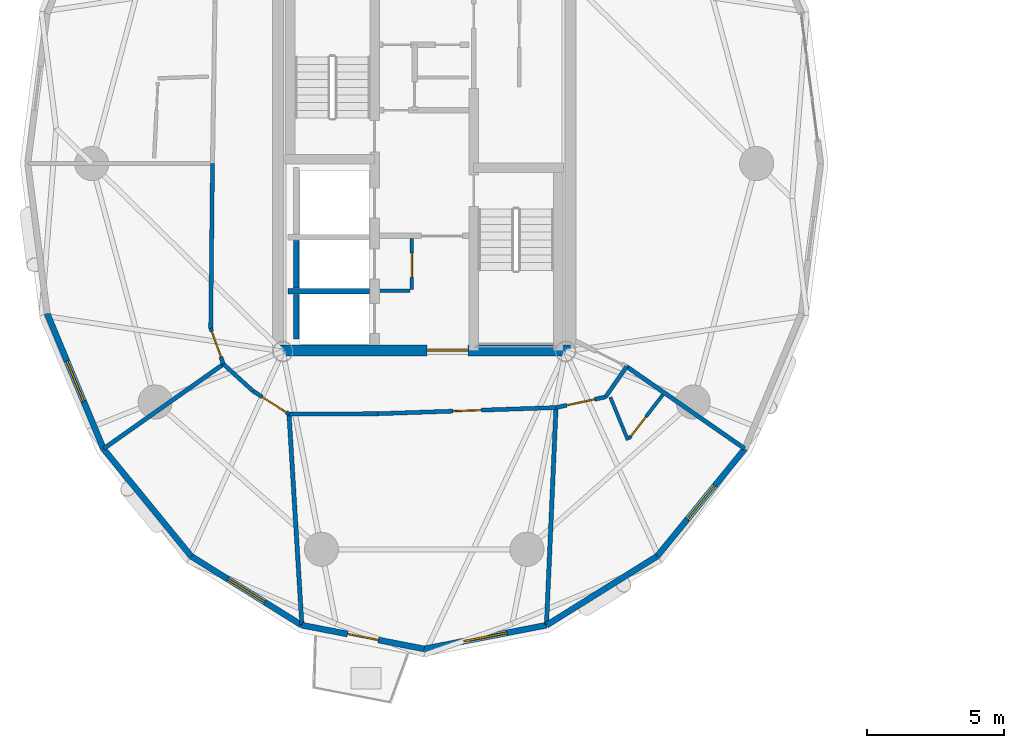
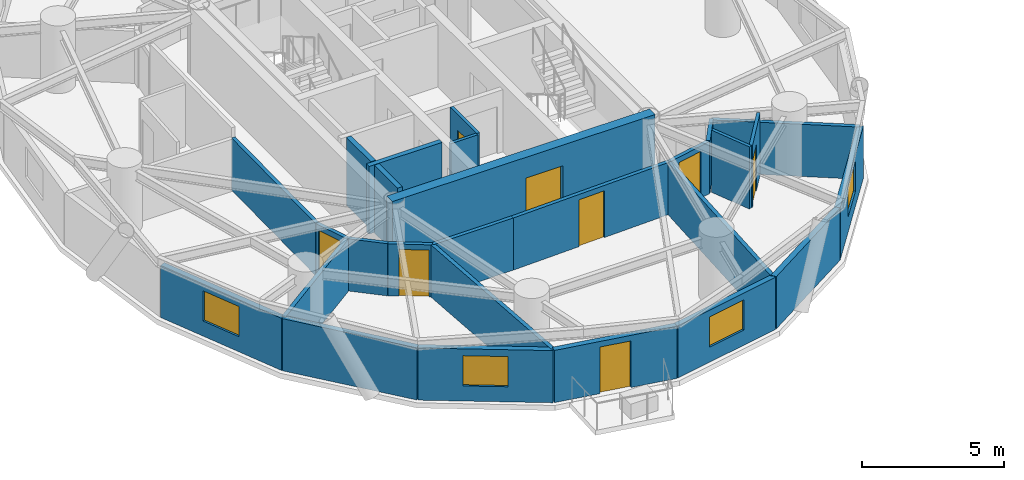
# One storey, part 8 of 17: 27 walls, 8 doors, 4 windows, 12 openings.
"""IFC4 building model written with IfcOpenShell, lengths in metres."""

import ifcopenshell
import ifcopenshell.guid

model = None  # the IFC model being written
_history = None  # IfcOwnerHistory: only IFC2X3 demands one
_inside = {}  # id of a spatial element -> (the spatial element, [elements in it])
_under = {}  # id of a project, library or spatial element -> (it, [spatial elements below it])
_declared = {}  # id of a project -> (the project, [libraries it declares])
_typed = {}  # id of a type object -> (the type object, [elements of that type])
_made_of = {}  # id of a material, layer set ... -> (it, [elements and type objects made of it])


def new_model(schema):
    """Start an empty IFC model of exactly this schema.

    Asked for "IFC4X3", IfcOpenShell would pick the latest addendum, in which some entities
    have other attributes; the version numbers below select the first issue.
    IFC2X3 requires an IfcOwnerHistory on every rooted entity: one is made here for all.
    """
    global model, _history
    if schema == "IFC4X3":
        model = ifcopenshell.file(schema_version=(4, 3, 0, 0))
    else:
        model = ifcopenshell.file(schema=schema)
    _inside.clear()
    _under.clear()
    _declared.clear()
    _typed.clear()
    _made_of.clear()
    _history = None
    if model.schema == "IFC2X3":
        org = make("IfcOrganization", Name="unknown")
        user = make(
            "IfcPersonAndOrganization",
            ThePerson=make("IfcPerson", FamilyName="unknown"),
            TheOrganization=org,
        )
        app = make(
            "IfcApplication",
            ApplicationDeveloper=org,
            Version="unknown",
            ApplicationFullName="unknown",
            ApplicationIdentifier="unknown",
        )
        _history = make(
            "IfcOwnerHistory",
            OwningUser=user,
            OwningApplication=app,
            ChangeAction="ADDED",
            CreationDate=0,
        )
    return model


def make(cls, **values):
    """One entity of the class cls with the attributes given. An attribute that is None is left unset."""
    return model.create_entity(
        cls, **{name: value for name, value in values.items() if value is not None}
    )


def rooted(cls, **values):
    """An entity with a GlobalId (a new one), such as an element, a storey or a relation."""
    return make(cls, GlobalId=ifcopenshell.guid.new(), OwnerHistory=_history, **values)


def si_unit(unit_type, name, prefix=None):
    """IfcSIUnit, for example si_unit("LENGTHUNIT", "METRE", prefix="MILLI")."""
    return make("IfcSIUnit", UnitType=unit_type, Prefix=prefix, Name=name)


def assignment(units):
    """IfcUnitAssignment: the units of a project."""
    return None if units is None else make("IfcUnitAssignment", Units=units)


def point(xyz):
    """IfcCartesianPoint."""
    return None if xyz is None else make("IfcCartesianPoint", Coordinates=xyz)


def direction(xyz):
    """IfcDirection."""
    return None if xyz is None else make("IfcDirection", DirectionRatios=xyz)


def frame(location, z_axis=None, x_axis=None):
    """IfcAxis2Placement3D, a coordinate frame: its origin and axes. An axis left out is left unset."""
    return make(
        "IfcAxis2Placement3D",
        Location=point(location),
        Axis=direction(z_axis),
        RefDirection=direction(x_axis),
    )


def frame_2d(location, x_axis=None):
    """IfcAxis2Placement2D, a coordinate frame in the plane: its origin and x axis."""
    return make(
        "IfcAxis2Placement2D", Location=point(location), RefDirection=direction(x_axis)
    )


def origin():
    """The frame at (0, 0, 0) with its axes left unset."""
    return frame((0.0, 0.0, 0.0))


def place(relative_to, where):
    """IfcLocalPlacement: puts the frame where relative to a parent placement (None: the world)."""
    return make(
        "IfcLocalPlacement", PlacementRelTo=relative_to, RelativePlacement=where
    )


def context(
    kind, dimensions, precision=None, world=None, true_north=None, identifier=None
):
    """IfcGeometricRepresentationContext, for example the 3D "Model" context."""
    return make(
        "IfcGeometricRepresentationContext",
        ContextIdentifier=identifier,
        ContextType=kind,
        CoordinateSpaceDimension=dimensions,
        Precision=precision,
        WorldCoordinateSystem=world,
        TrueNorth=true_north,
    )


def subcontext(parent, identifier, kind, view, scale=None):
    """IfcGeometricRepresentationSubContext, for example "Body" below "Model"."""
    return make(
        "IfcGeometricRepresentationSubContext",
        ContextIdentifier=identifier,
        ContextType=kind,
        ParentContext=parent,
        TargetScale=scale,
        TargetView=view,
    )


def project(units=None, contexts=None):
    """IfcProject with its units and contexts."""
    return rooted(
        "IfcProject",
        Name="project",
        RepresentationContexts=contexts,
        UnitsInContext=assignment(units),
    )


def spatial(cls, under=None, at=None, **own):
    """A site, building, storey or space (cls), placed at a placement, below another one or the project."""
    s = rooted(cls, ObjectPlacement=at, **own)
    if under is not None:
        _under.setdefault(under.id(), (under, []))[1].append(s)
    return s


def profile(cls, at=None, kind="AREA", **sizes):
    """A parametric profile (cls). Its sizes go by their IFC names, for example OverallWidth=200.0."""
    return make(cls, ProfileType=kind, Position=at, **sizes)


def rectangle(**sizes):
    """IfcRectangleProfileDef."""
    return profile("IfcRectangleProfileDef", **sizes)


def extrude(swept, where, along, depth):
    """IfcExtrudedAreaSolid: the profile swept, set in the frame where, extruded along a direction by depth."""
    return make(
        "IfcExtrudedAreaSolid",
        SweptArea=swept,
        Position=where,
        ExtrudedDirection=direction(along),
        Depth=depth,
    )


def shape(context_of_items, identifier, shape_type, items):
    """IfcShapeRepresentation: the items that make up one representation, for example the "Body"."""
    return make(
        "IfcShapeRepresentation",
        ContextOfItems=context_of_items,
        RepresentationIdentifier=identifier,
        RepresentationType=shape_type,
        Items=items,
    )


def source(mapping_origin, context_of_items, identifier, shape_type, items):
    """IfcRepresentationMap: a shape defined once, which mapped items show again and again."""
    return make(
        "IfcRepresentationMap",
        MappingOrigin=mapping_origin,
        MappedRepresentation=shape(context_of_items, identifier, shape_type, items),
    )


def transform(
    local_origin,
    x_axis=None,
    y_axis=None,
    z_axis=None,
    scale=None,
    scale2=None,
    scale3=None,
    uniform=True,
):
    """IfcCartesianTransformationOperator3D, or its non-uniform kind. x_axis, y_axis, z_axis: its Axis1, 2, 3."""
    if uniform:
        return make(
            "IfcCartesianTransformationOperator3D",
            Axis1=direction(x_axis),
            Axis2=direction(y_axis),
            LocalOrigin=point(local_origin),
            Scale=scale,
            Axis3=direction(z_axis),
        )
    return make(
        "IfcCartesianTransformationOperator3DnonUniform",
        Axis1=direction(x_axis),
        Axis2=direction(y_axis),
        LocalOrigin=point(local_origin),
        Scale=scale,
        Axis3=direction(z_axis),
        Scale2=scale2,
        Scale3=scale3,
    )


def mapped(mapping_source, mapping_target):
    """IfcMappedItem: shows the shape of a source again, moved by a transform."""
    return make(
        "IfcMappedItem", MappingSource=mapping_source, MappingTarget=mapping_target
    )


def material(Name=None, Category=None):
    """IfcMaterial."""
    return make("IfcMaterial", Name=Name, Category=Category)


def layer(
    of_material, thickness, ventilated=None, Name=None, Category=None, Priority=None
):
    """IfcMaterialLayer: one layer of a wall or slab, of a material (None: an air gap)."""
    return make(
        "IfcMaterialLayer",
        Material=of_material,
        LayerThickness=thickness,
        IsVentilated=ventilated,
        Name=Name,
        Category=Category,
        Priority=Priority,
    )


def layer_set(layers, Name=None):
    """IfcMaterialLayerSet."""
    return make("IfcMaterialLayerSet", MaterialLayers=layers, LayerSetName=Name)


def made_of(thing, what):
    """Note that an element or type object is made of a material, layer set ...; save() writes the relation."""
    if what is not None:
        _made_of.setdefault(what.id(), (what, []))[1].append(thing)
    return thing


def type_object(cls, material=None, **own):
    """A type object (cls), such as IfcWallType, which elements share."""
    return made_of(rooted(cls, **own), material)


def element(
    cls,
    number,
    at=None,
    inside=None,
    cuts=None,
    type_object=None,
    material=None,
    context=None,
    identifier="Body",
    shape_type=None,
    held_by="IfcProductDefinitionShape",
    body=None,
    shapes=None,
    **own,
):
    """One element of the class cls, such as IfcWall. Its Tag is "e" and its number.

    at: its placement. inside: the storey or other place that contains it. cuts: it is an
    opening in that element (IfcRelVoidsElement). A single representation is given by context,
    identifier, shape_type and body (its items); several are given by shapes. held_by: the class
    of the entity that holds the representations. save() writes the other relations.
    """
    e = rooted(cls, Tag="e%d" % number, ObjectPlacement=at, **own)
    if body is not None:
        shapes = [shape(context, identifier, shape_type, body)]
    if shapes is not None:
        e.Representation = make(held_by, Representations=shapes)
    if inside is not None:
        _inside.setdefault(inside.id(), (inside, []))[1].append(e)
    if cuts is not None:
        rooted(
            "IfcRelVoidsElement", RelatingBuildingElement=cuts, RelatedOpeningElement=e
        )
    if type_object is not None:
        _typed.setdefault(type_object.id(), (type_object, []))[1].append(e)
    return made_of(e, material)


def fill(opening, filler):
    """IfcRelFillsElement: the door or window that sits in an opening."""
    return rooted(
        "IfcRelFillsElement",
        RelatingOpeningElement=opening,
        RelatedBuildingElement=filler,
    )


def aggregate(whole, parts):
    """IfcRelAggregates: a whole, such as a stair, and the parts it consists of."""
    return rooted("IfcRelAggregates", RelatingObject=whole, RelatedObjects=parts)


def save(model, path):
    """Write the relations noted so far, then the file.

    IfcRelAggregates (storeys below a building ...), IfcRelContainedInSpatialStructure (elements
    in a storey), IfcRelDefinesByType, IfcRelAssociatesMaterial and IfcRelDeclares: one each for
    every whole, place, type object, material and project.
    """
    for whole, parts in _under.values():
        aggregate(whole, parts)
    for where, things in _inside.values():
        rooted(
            "IfcRelContainedInSpatialStructure",
            RelatedElements=things,
            RelatingStructure=where,
        )
    for kind, things in _typed.values():
        rooted("IfcRelDefinesByType", RelatedObjects=things, RelatingType=kind)
    for what, things in _made_of.values():
        rooted("IfcRelAssociatesMaterial", RelatedObjects=things, RelatingMaterial=what)
    for by, libraries in _declared.values():
        rooted("IfcRelDeclares", RelatingContext=by, RelatedDefinitions=libraries)
    model.write(path)


model = new_model("IFC4")

# Units and contexts
model_context = context("Model", 3, precision=1e-05, world=origin(), true_north=direction((0.0, 1.0)))
body_context = subcontext(model_context, "Body", "Model", "MODEL_VIEW")
ifc_project = project(units=[si_unit("LENGTHUNIT", "METRE"), si_unit("AREAUNIT", "SQUARE_METRE"), si_unit("VOLUMEUNIT", "CUBIC_METRE"), si_unit("PLANEANGLEUNIT", "RADIAN"), si_unit("MASSUNIT", "GRAM", prefix="KILO")], contexts=[model_context])

# Site, building, storey
site_placement = place(None, origin())
site = spatial("IfcSite", under=ifc_project, at=site_placement, CompositionType="ELEMENT")
building_placement = place(site_placement, origin())
building = spatial("IfcBuilding", under=site, at=building_placement, Name="Cununo Teusaquillo Station Towers", CompositionType="ELEMENT")
storey_placement = place(building_placement, frame((0.0, 0.0, 154.510009765625)))
storey = spatial("IfcBuildingStorey", under=building, at=storey_placement, Name="L48", CompositionType="ELEMENT", Elevation=154.510009765625)

# Walls
ifc_material_1 = material(Name="Concrete C50/60", Category="concrete")
ifc_layer_1 = layer(ifc_material_1, 0.199951171875)
ifc_layer_set_1 = layer_set([ifc_layer_1], Name="Concrete C50/60")
wall_type_1 = type_object("IfcWallType", Name="WL-CORE-200", PredefinedType="SHEAR", material=ifc_layer_set_1)
wall_1_placement = place(storey_placement, frame((11.52001953125, 19.824951171875, 0.0), z_axis=(0.0, 0.0, 1.0), x_axis=(1.0, 0.0, 0.0)))
element("IfcWall", 1, at=wall_1_placement, inside=storey, type_object=wall_type_1, Name="L48 Tower A High-Rise Lift Hoistway Divider Shear Wall", PredefinedType="SHEAR", context=body_context, shape_type="SweptSolid", body=[
    extrude(rectangle(XDim=2.969970703125, YDim=0.199951171875, at=frame_2d((1.48486328125, 0.0))), origin(), (0.0, 0.0, 1.0), 2.909912109375),
])
wall_2_placement = place(storey_placement, frame((11.820068359375, 19.945068359375, 0.0), z_axis=(0.0, 0.0, 1.0), x_axis=(0.0, 1.0, 0.0)))
element("IfcWall", 2, at=wall_2_placement, inside=storey, type_object=wall_type_1, Name="L48 Tower A High-Rise Lift 2 Shaft Rear Shear Wall", PredefinedType="SHEAR", context=body_context, shape_type="SweptSolid", body=[
    extrude(rectangle(XDim=1.73486328125, YDim=0.199951171875, at=frame_2d((0.867431640625, 0.0))), origin(), (0.0, 0.0, 1.0), 2.909912109375),
])
wall_3_placement = place(storey_placement, frame((11.820068359375, 18.070068359375, 0.0), z_axis=(0.0, 0.0, 1.0), x_axis=(0.0, 1.0, 0.0)))
element("IfcWall", 3, at=wall_3_placement, inside=storey, type_object=wall_type_1, Name="L48 Tower A High-Rise Lift 1 Shaft Rear Shear Wall", PredefinedType="SHEAR", context=body_context, shape_type="SweptSolid", body=[
    extrude(rectangle(XDim=1.635009765625, YDim=0.199951171875, at=frame_2d((0.8173828125, 0.0))), origin(), (0.0, 0.0, 1.0), 2.909912109375),
])

# Wall, opening, door
ifc_material_2 = material(Name="Concrete C50/60", Category="concrete")
ifc_layer_2 = layer(ifc_material_2, 0.39990234375)
ifc_layer_set_2 = layer_set([ifc_layer_2], Name="Concrete C50/60")
wall_type_2 = type_object("IfcWallType", Name="WL-CORE-400", PredefinedType="SHEAR", material=ifc_layer_set_2)
wall_4_placement = place(storey_placement, frame((11.14990234375, 17.64990234375, 0.0), z_axis=(0.0, 0.0, 1.0), x_axis=(1.0, 0.0, 0.0)))
wall_4 = element("IfcWall", 4, at=wall_4_placement, inside=storey, type_object=wall_type_2, Name="L48 Tower A Core Shear Wall S", PredefinedType="SHEAR", context=body_context, shape_type="SweptSolid", body=[
    extrude(rectangle(XDim=10.7001953125, YDim=0.39990234375, at=frame_2d((5.35009765625, 0.0))), origin(), (0.0, 0.0, 1.0), 2.909912109375),
])
shared_shape_1 = source(origin(), body_context, "Body", "SweptSolid", [
    extrude(rectangle(XDim=1.5, YDim=2.02001953125, at=frame_2d((0.75, 1.010009765625))), frame((0.0, 0.2099609375, 0.0), z_axis=(0.0, -1.0, 0.0), x_axis=(1.0, 0.0, 0.0)), (0.0, 0.0, 1.0), 0.419921875),
])
opening_1_placement = place(wall_4_placement, frame((5.449951171875, 0.0, 0.0)))
opening_1 = element("IfcOpeningElement", 5, at=opening_1_placement, cuts=wall_4, Name="Opening D-LB1", PredefinedType="OPENING", context=body_context, shape_type="MappedRepresentation", body=[
    mapped(shared_shape_1, transform((0.0, 0.0, 0.0), x_axis=(1.0, 0.0, 0.0), y_axis=(0.0, 1.0, 0.0), z_axis=(0.0, 0.0, 1.0), scale=1.0)),
])
ifc_material_3 = material(Name="Galvanised fire-rated hollow steel door assembly", Category="steel")
door_type_1 = type_object("IfcDoorType", Name="DR-LOBBY-1500", OperationType="DOUBLE_DOOR_SINGLE_SWING", PredefinedType="DOOR", material=ifc_material_3)
shared_shape_2 = source(origin(), body_context, "Body", "SweptSolid", [
    extrude(rectangle(XDim=1.5, YDim=2.02001953125, at=frame_2d((0.75, 1.010009765625))), frame((0.0, 0.02490234375, 0.0), z_axis=(0.0, -1.0, 0.0), x_axis=(1.0, 0.0, 0.0)), (0.0, 0.0, 1.0), 0.050048828125),
])
door_1_placement = place(opening_1_placement, origin())
door_1 = element("IfcDoor", 6, at=door_1_placement, inside=storey, type_object=door_type_1, Name="L48 Tower A South Core Lift Lobby Door", OperationType="DOUBLE_DOOR_SINGLE_SWING", OverallHeight=2.02001953125, OverallWidth=1.5, PredefinedType="DOOR", context=body_context, shape_type="MappedRepresentation", body=[
    mapped(shared_shape_2, transform((0.0, 0.0, 0.0), x_axis=(1.0, 0.0, 0.0), y_axis=(0.0, 1.0, 0.0), z_axis=(0.0, 0.0, 1.0), scale=1.0)),
])
fill(opening_1, door_1)

# Wall, opening, window
ifc_material_4 = material(Name="Precast concrete C40/50", Category="concrete")
ifc_layer_3 = layer(ifc_material_4, 0.219970703125)
ifc_layer_set_3 = layer_set([ifc_layer_3], Name="Precast concrete C40/50")
wall_type_3 = type_object("IfcWallType", Name="WL-EXT-220", PredefinedType="SOLIDWALL", material=ifc_layer_set_3)
wall_5_placement = place(storey_placement, frame((4.757080078125, 14.05517578125, 0.0), z_axis=(0.0, 0.0, 1.0), x_axis=(-0.384259959969, 0.923224936386, 0.0)))
wall_5 = element("IfcWall", 7, at=wall_5_placement, inside=storey, type_object=wall_type_3, Name="L48 Tower A Exterior Facade Wall C11", PredefinedType="SOLIDWALL", context=body_context, shape_type="SweptSolid", body=[
    extrude(rectangle(XDim=5.365478515625, YDim=0.219970703125, at=frame_2d((2.6826171875, 0.0))), origin(), (0.0, 0.0, 1.0), 2.244873046875),
])
shared_shape_3 = source(origin(), body_context, "Body", "SweptSolid", [
    extrude(rectangle(XDim=1.60009765625, YDim=1.300048828125, at=frame_2d((0.800048828125, 0.64990234375))), frame((0.0, 0.119873046875, 0.0), z_axis=(0.0, -1.0, 0.0), x_axis=(1.0, 0.0, 0.0)), (0.0, 0.0, 1.0), 0.239990234375),
])
opening_2_placement = place(wall_5_placement, frame((1.883056640625, 0.0, 0.64990234375)))
opening_2 = element("IfcOpeningElement", 8, at=opening_2_placement, cuts=wall_5, Name="Opening WN-03", PredefinedType="OPENING", context=body_context, shape_type="MappedRepresentation", body=[
    mapped(shared_shape_3, transform((0.0, 0.0, 0.0), x_axis=(1.0, 0.0, 0.0), y_axis=(0.0, 1.0, 0.0), z_axis=(0.0, 0.0, 1.0), scale=1.0)),
])
ifc_material_5 = material(Name="Ceramic-fritted dark low-E double glazing", Category="glass")
window_type = type_object("IfcWindowType", Name="WIN-CORN-1600", PartitioningType="SINGLE_PANEL", PredefinedType="WINDOW", material=ifc_material_5)
shared_shape_4 = source(origin(), body_context, "Body", "SweptSolid", [
    extrude(rectangle(XDim=1.60009765625, YDim=1.300048828125, at=frame_2d((0.800048828125, 0.64990234375))), frame((0.0, 0.030029296875, 0.0), z_axis=(0.0, -1.0, 0.0), x_axis=(1.0, 0.0, 0.0)), (0.0, 0.0, 1.0), 0.06005859375),
])
window_1_placement = place(opening_2_placement, origin())
window_1 = element("IfcWindow", 9, at=window_1_placement, inside=storey, type_object=window_type, Name="L48 Tower A Facade Window C11", OverallHeight=1.300048828125, OverallWidth=1.60009765625, PartitioningType="SINGLE_PANEL", PredefinedType="WINDOW", context=body_context, shape_type="MappedRepresentation", body=[
    mapped(shared_shape_4, transform((0.0, 0.0, 0.0), x_axis=(1.0, 0.0, 0.0), y_axis=(0.0, 1.0, 0.0), z_axis=(0.0, 0.0, 1.0), scale=1.0)),
])
fill(opening_2, window_1)

# Wall
wall_6_placement = place(storey_placement, frame((7.96826171875, 10.123779296875, 0.0), z_axis=(0.0, 0.0, 1.0), x_axis=(-0.632598524901, 0.774479894053, 0.0)))
element("IfcWall", 10, at=wall_6_placement, inside=storey, type_object=wall_type_3, Name="L48 Tower A Exterior Facade Wall C12", PredefinedType="SOLIDWALL", context=body_context, shape_type="SweptSolid", body=[
    extrude(rectangle(XDim=5.076171875, YDim=0.219970703125, at=frame_2d((2.5380859375, 0.0))), origin(), (0.0, 0.0, 1.0), 2.244873046875),
])

# Wall, opening, window
wall_7_placement = place(storey_placement, frame((12.0146484375, 7.599609375, 0.0), z_axis=(0.0, 0.0, 1.0), x_axis=(-0.848452391194, 0.529271707044, 0.0)))
wall_7 = element("IfcWall", 11, at=wall_7_placement, inside=storey, type_object=wall_type_3, Name="L48 Tower A Exterior Facade Wall C13", PredefinedType="SOLIDWALL", context=body_context, shape_type="SweptSolid", body=[
    extrude(rectangle(XDim=4.76904296875, YDim=0.219970703125, at=frame_2d((2.384521484375, 0.0))), origin(), (0.0, 0.0, 1.0), 2.244873046875),
])
opening_3_placement = place(wall_7_placement, frame((1.5849609375, 0.0, 0.64990234375)))
opening_3 = element("IfcOpeningElement", 12, at=opening_3_placement, cuts=wall_7, Name="Opening WN-03", PredefinedType="OPENING", context=body_context, shape_type="MappedRepresentation", body=[
    mapped(shared_shape_3, transform((0.0, 0.0, 0.0), x_axis=(1.0, 0.0, 0.0), y_axis=(0.0, 1.0, 0.0), z_axis=(0.0, 0.0, 1.0), scale=1.0)),
])
window_2_placement = place(opening_3_placement, origin())
window_2 = element("IfcWindow", 13, at=window_2_placement, inside=storey, type_object=window_type, Name="L48 Tower A Facade Window C13", OverallHeight=1.300048828125, OverallWidth=1.60009765625, PartitioningType="SINGLE_PANEL", PredefinedType="WINDOW", context=body_context, shape_type="MappedRepresentation", body=[
    mapped(shared_shape_4, transform((0.0, 0.0, 0.0), x_axis=(1.0, 0.0, 0.0), y_axis=(0.0, 1.0, 0.0), z_axis=(0.0, 0.0, 1.0), scale=1.0)),
])
fill(opening_3, window_2)

# Wall, opening, door
wall_8_placement = place(storey_placement, frame((16.5, 6.72998046875, 0.0), z_axis=(0.0, 0.0, 1.0), x_axis=(-0.981718699963, 0.190337579429, 0.0)))
wall_8 = element("IfcWall", 14, at=wall_8_placement, inside=storey, type_object=wall_type_3, Name="L48 Tower A Exterior Facade Wall C14", PredefinedType="SOLIDWALL", context=body_context, shape_type="SweptSolid", body=[
    extrude(rectangle(XDim=4.56884765625, YDim=0.219970703125, at=frame_2d((2.284423828125, 0.0))), origin(), (0.0, 0.0, 1.0), 2.244873046875),
])
shared_shape_5 = source(origin(), body_context, "Body", "SweptSolid", [
    extrude(rectangle(XDim=1.14990234375, YDim=2.0048828125, at=frame_2d((0.574951171875, 1.00244140625))), frame((0.0, 0.119873046875, 0.0), z_axis=(0.0, -1.0, 0.0), x_axis=(1.0, 0.0, 0.0)), (0.0, 0.0, 1.0), 0.239990234375),
])
opening_4_placement = place(wall_8_placement, frame((1.708984375, 0.0, 0.0)))
opening_4 = element("IfcOpeningElement", 15, at=opening_4_placement, cuts=wall_8, Name="Opening ED-03", PredefinedType="OPENING", context=body_context, shape_type="MappedRepresentation", body=[
    mapped(shared_shape_5, transform((0.0, 0.0, 0.0), x_axis=(1.0, 0.0, 0.0), y_axis=(0.0, 1.0, 0.0), z_axis=(0.0, 0.0, 1.0), scale=1.0)),
])
ifc_material_6 = material(Name="Anodised dark bronze aluminium EN AW-6063-T6", Category="aluminium")
door_type_2 = type_object("IfcDoorType", Name="DR-EXT-BAL", OperationType="NOTDEFINED", PredefinedType="DOOR", material=ifc_material_6)
shared_shape_6 = source(origin(), body_context, "Body", "SweptSolid", [
    extrude(rectangle(XDim=1.14990234375, YDim=2.0048828125, at=frame_2d((0.574951171875, 1.00244140625))), frame((0.0, 0.02490234375, 0.0), z_axis=(0.0, -1.0, 0.0), x_axis=(1.0, 0.0, 0.0)), (0.0, 0.0, 1.0), 0.050048828125),
])
door_2_placement = place(opening_4_placement, origin())
door_2 = element("IfcDoor", 16, at=door_2_placement, inside=storey, type_object=door_type_2, Name="L48 Tower A Tree Balcony Door C14", OperationType="SINGLE_SWING_LEFT", OverallHeight=2.0048828125, OverallWidth=1.14990234375, PredefinedType="DOOR", context=body_context, shape_type="MappedRepresentation", body=[
    mapped(shared_shape_6, transform((0.0, 0.0, 0.0), x_axis=(1.0, 0.0, 0.0), y_axis=(0.0, 1.0, 0.0), z_axis=(0.0, 0.0, 1.0), scale=1.0)),
])
fill(opening_4, door_2)

# Wall, opening, window
wall_9_placement = place(storey_placement, frame((20.9853515625, 7.599609375, 0.0), z_axis=(0.0, 0.0, 1.0), x_axis=(-0.981718699963, -0.190337579429, 0.0)))
wall_9 = element("IfcWall", 17, at=wall_9_placement, inside=storey, type_object=wall_type_3, Name="L48 Tower A Exterior Facade Wall C15", PredefinedType="SOLIDWALL", context=body_context, shape_type="SweptSolid", body=[
    extrude(rectangle(XDim=4.56884765625, YDim=0.219970703125, at=frame_2d((2.284423828125, 0.0))), origin(), (0.0, 0.0, 1.0), 2.244873046875),
])
opening_5_placement = place(wall_9_placement, frame((1.48388671875, 0.0, 0.64990234375)))
opening_5 = element("IfcOpeningElement", 18, at=opening_5_placement, cuts=wall_9, Name="Opening WN-03", PredefinedType="OPENING", context=body_context, shape_type="MappedRepresentation", body=[
    mapped(shared_shape_3, transform((0.0, 0.0, 0.0), x_axis=(1.0, 0.0, 0.0), y_axis=(0.0, 1.0, 0.0), z_axis=(0.0, 0.0, 1.0), scale=1.0)),
])
window_3_placement = place(opening_5_placement, origin())
window_3 = element("IfcWindow", 19, at=window_3_placement, inside=storey, type_object=window_type, Name="L48 Tower A Facade Window C15", OverallHeight=1.300048828125, OverallWidth=1.60009765625, PartitioningType="SINGLE_PANEL", PredefinedType="WINDOW", context=body_context, shape_type="MappedRepresentation", body=[
    mapped(shared_shape_4, transform((0.0, 0.0, 0.0), x_axis=(1.0, 0.0, 0.0), y_axis=(0.0, 1.0, 0.0), z_axis=(0.0, 0.0, 1.0), scale=1.0)),
])
fill(opening_5, window_3)

# Wall
wall_10_placement = place(storey_placement, frame((25.03173828125, 10.123779296875, 0.0), z_axis=(0.0, 0.0, 1.0), x_axis=(-0.848452391194, -0.529271707044, 0.0)))
element("IfcWall", 20, at=wall_10_placement, inside=storey, type_object=wall_type_3, Name="L48 Tower A Exterior Facade Wall C16", PredefinedType="SOLIDWALL", context=body_context, shape_type="SweptSolid", body=[
    extrude(rectangle(XDim=4.76904296875, YDim=0.219970703125, at=frame_2d((2.384521484375, 0.0))), origin(), (0.0, 0.0, 1.0), 2.244873046875),
])

# Wall, opening, window
wall_11_placement = place(storey_placement, frame((28.242919921875, 14.05517578125, 0.0), z_axis=(0.0, 0.0, 1.0), x_axis=(-0.632598524901, -0.774479894053, 0.0)))
wall_11 = element("IfcWall", 21, at=wall_11_placement, inside=storey, type_object=wall_type_3, Name="L48 Tower A Exterior Facade Wall C17", PredefinedType="SOLIDWALL", context=body_context, shape_type="SweptSolid", body=[
    extrude(rectangle(XDim=5.076171875, YDim=0.219970703125, at=frame_2d((2.5380859375, 0.0))), origin(), (0.0, 0.0, 1.0), 2.244873046875),
])
opening_6_placement = place(wall_11_placement, frame((1.738037109375, 0.0, 0.64990234375)))
opening_6 = element("IfcOpeningElement", 22, at=opening_6_placement, cuts=wall_11, Name="Opening WN-03", PredefinedType="OPENING", context=body_context, shape_type="MappedRepresentation", body=[
    mapped(shared_shape_3, transform((0.0, 0.0, 0.0), x_axis=(1.0, 0.0, 0.0), y_axis=(0.0, 1.0, 0.0), z_axis=(0.0, 0.0, 1.0), scale=1.0)),
])
window_4_placement = place(opening_6_placement, origin())
window_4 = element("IfcWindow", 23, at=window_4_placement, inside=storey, type_object=window_type, Name="L48 Tower A Facade Window C17", OverallHeight=1.300048828125, OverallWidth=1.60009765625, PartitioningType="SINGLE_PANEL", PredefinedType="WINDOW", context=body_context, shape_type="MappedRepresentation", body=[
    mapped(shared_shape_4, transform((0.0, 0.0, 0.0), x_axis=(1.0, 0.0, 0.0), y_axis=(0.0, 1.0, 0.0), z_axis=(0.0, 0.0, 1.0), scale=1.0)),
])
fill(opening_6, window_4)

# Wall, opening, door
ifc_material_7 = material(Name="Fire-rated gypsum plasterboard partition assembly", Category="gypsum")
ifc_layer_4 = layer(ifc_material_7, 0.125)
ifc_layer_set_4 = layer_set([ifc_layer_4], Name="Fire-rated gypsum plasterboard partition assembly")
wall_type_4 = type_object("IfcWallType", Name="WL-PART-125", PredefinedType="PARTITIONING", material=ifc_layer_set_4)
wall_12_placement = place(storey_placement, frame((16.050048828125, 19.8798828125, 0.0), z_axis=(0.0, 0.0, 1.0), x_axis=(0.0, 1.0, 0.0)))
wall_12 = element("IfcWall", 24, at=wall_12_placement, inside=storey, type_object=wall_type_4, Name="L48 Tower A North-West Lobby Store East Wall", PredefinedType="PARTITIONING", context=body_context, shape_type="SweptSolid", body=[
    extrude(rectangle(XDim=1.8701171875, YDim=0.125, at=frame_2d((0.93505859375, 0.0))), origin(), (0.0, 0.0, 1.0), 2.675048828125),
])
shared_shape_7 = source(origin(), body_context, "Body", "SweptSolid", [
    extrude(rectangle(XDim=0.89990234375, YDim=2.0048828125, at=frame_2d((0.449951171875, 1.00244140625))), frame((0.0, 0.072509765625, 0.0), z_axis=(0.0, -1.0, 0.0), x_axis=(1.0, 0.0, 0.0)), (0.0, 0.0, 1.0), 0.14501953125),
])
opening_7_placement = place(wall_12_placement, frame((0.449951171875, 0.0, 0.0)))
opening_7 = element("IfcOpeningElement", 25, at=opening_7_placement, cuts=wall_12, Name="Opening D-SR1", PredefinedType="OPENING", context=body_context, shape_type="MappedRepresentation", body=[
    mapped(shared_shape_7, transform((0.0, 0.0, 0.0), x_axis=(1.0, 0.0, 0.0), y_axis=(0.0, 1.0, 0.0), z_axis=(0.0, 0.0, 1.0), scale=1.0)),
])
ifc_material_8 = material(Name="Galvanised fire-rated hollow steel door assembly", Category="steel")
door_type_3 = type_object("IfcDoorType", Name="DR-STORE-900", OperationType="NOTDEFINED", PredefinedType="DOOR", material=ifc_material_8)
shared_shape_8 = source(origin(), body_context, "Body", "SweptSolid", [
    extrude(rectangle(XDim=0.89990234375, YDim=2.0048828125, at=frame_2d((0.449951171875, 1.00244140625))), frame((0.0, 0.02490234375, 0.0), z_axis=(0.0, -1.0, 0.0), x_axis=(1.0, 0.0, 0.0)), (0.0, 0.0, 1.0), 0.050048828125),
])
door_3_placement = place(opening_7_placement, origin())
door_3 = element("IfcDoor", 26, at=door_3_placement, inside=storey, type_object=door_type_3, Name="L48 Tower A South Lobby Data Store Door", OperationType="SINGLE_SWING_RIGHT", OverallHeight=2.0048828125, OverallWidth=0.89990234375, PredefinedType="DOOR", context=body_context, shape_type="MappedRepresentation", body=[
    mapped(shared_shape_8, transform((0.0, 0.0, 0.0), x_axis=(1.0, 0.0, 0.0), y_axis=(0.0, 1.0, 0.0), z_axis=(0.0, 0.0, 1.0), scale=1.0)),
])
fill(opening_7, door_3)

# Walls
wall_13_placement = place(storey_placement, frame((14.8798828125, 19.85009765625, 0.0), z_axis=(0.0, 0.0, 1.0), x_axis=(1.0, 0.0, 0.0)))
element("IfcWall", 27, at=wall_13_placement, inside=storey, type_object=wall_type_4, Name="L48 Tower A North-West Lobby Store South Wall", PredefinedType="PARTITIONING", context=body_context, shape_type="SweptSolid", body=[
    extrude(rectangle(XDim=1.10009765625, YDim=0.125, at=frame_2d((0.550048828125, 0.0))), origin(), (0.0, 0.0, 1.0), 2.675048828125),
])
wall_14_placement = place(storey_placement, frame((23.31494140625, 15.946533203125, 0.0), z_axis=(0.0, 0.0, 1.0), x_axis=(0.37920929394, -0.925310926873, 0.0)))
element("IfcWall", 28, at=wall_14_placement, inside=storey, type_object=wall_type_4, Name="L48 Tower A S08 En-suite Side Wall", PredefinedType="PARTITIONING", context=body_context, shape_type="SweptSolid", body=[
    extrude(rectangle(XDim=1.698486328125, YDim=0.125, at=frame_2d((0.84912109375, 0.0))), origin(), (0.0, 0.0, 1.0), 2.675048828125),
])

# Wall, opening, door
wall_15_placement = place(storey_placement, frame((23.997802734375, 14.42529296875, 0.0), z_axis=(0.0, 0.0, 1.0), x_axis=(0.610534539262, 0.791989631478, 0.0)))
wall_15 = element("IfcWall", 29, at=wall_15_placement, inside=storey, type_object=wall_type_4, Name="L48 Tower A S08 En-suite Back Wall", PredefinedType="PARTITIONING", context=body_context, shape_type="SweptSolid", body=[
    extrude(rectangle(XDim=2.032958984375, YDim=0.125, at=frame_2d((1.0166015625, 0.0))), origin(), (0.0, 0.0, 1.0), 2.675048828125),
])
opening_8_placement = place(wall_15_placement, frame((0.1201171875, 0.0, 0.0)))
opening_8 = element("IfcOpeningElement", 30, at=opening_8_placement, cuts=wall_15, Name="Opening D-IN1", PredefinedType="OPENING", context=body_context, shape_type="MappedRepresentation", body=[
    mapped(shared_shape_7, transform((0.0, 0.0, 0.0), x_axis=(1.0, 0.0, 0.0), y_axis=(0.0, 1.0, 0.0), z_axis=(0.0, 0.0, 1.0), scale=1.0)),
])
ifc_material_9 = material(Name="Acoustic solid-core hardwood leaf assembly", Category="wood")
door_type_4 = type_object("IfcDoorType", Name="DR-INT-900", OperationType="NOTDEFINED", PredefinedType="DOOR", material=ifc_material_9)
door_4_placement = place(opening_8_placement, origin())
door_4 = element("IfcDoor", 31, at=door_4_placement, inside=storey, type_object=door_type_4, Name="L48 Tower A S08 En-suite Bathroom Door", OperationType="SINGLE_SWING_LEFT", OverallHeight=2.0048828125, OverallWidth=0.89990234375, PredefinedType="DOOR", context=body_context, shape_type="MappedRepresentation", body=[
    mapped(shared_shape_8, transform((0.0, 0.0, 0.0), x_axis=(1.0, 0.0, 0.0), y_axis=(0.0, 1.0, 0.0), z_axis=(0.0, 0.0, 1.0), scale=1.0)),
])
fill(opening_8, door_4)

# Wall
ifc_material_10 = material(Name="Fire-rated gypsum plasterboard partition assembly", Category="gypsum")
ifc_layer_5 = layer(ifc_material_10, 0.14990234375)
ifc_layer_set_5 = layer_set([ifc_layer_5], Name="Fire-rated gypsum plasterboard partition assembly")
wall_type_5 = type_object("IfcWallType", Name="WL-PART-150", PredefinedType="PARTITIONING", material=ifc_layer_set_5)
wall_16_placement = place(storey_placement, frame((8.75, 24.5, 0.0), z_axis=(0.0, 0.0, 1.0), x_axis=(-0.01076642715, -0.999942040344, 0.0)))
element("IfcWall", 32, at=wall_16_placement, inside=storey, type_object=wall_type_5, Name="L48 Tower A Corridor Ring Wall C10", PredefinedType="PARTITIONING", context=body_context, shape_type="SweptSolid", body=[
    extrude(rectangle(XDim=6.03173828125, YDim=0.14990234375, at=frame_2d((3.015869140625, 0.0))), origin(), (0.0, 0.0, 1.0), 2.244873046875),
])

# Wall, opening, door
wall_17_placement = place(storey_placement, frame((8.68505859375, 18.468505859375, 0.0), z_axis=(0.0, 0.0, 1.0), x_axis=(0.333415749461, -0.942779899028, 0.0)))
wall_17 = element("IfcWall", 33, at=wall_17_placement, inside=storey, type_object=wall_type_5, Name="L48 Tower A Corridor Ring Wall C11", PredefinedType="PARTITIONING", context=body_context, shape_type="SweptSolid", body=[
    extrude(rectangle(XDim=1.3935546875, YDim=0.14990234375, at=frame_2d((0.69677734375, 0.0))), origin(), (0.0, 0.0, 1.0), 2.244873046875),
])
shared_shape_9 = source(origin(), body_context, "Body", "SweptSolid", [
    extrude(rectangle(XDim=1.0, YDim=2.014892578125, at=frame_2d((0.5, 1.00732421875))), frame((0.0, 0.0849609375, 0.0), z_axis=(0.0, -1.0, 0.0), x_axis=(1.0, 0.0, 0.0)), (0.0, 0.0, 1.0), 0.169921875),
])
opening_9_placement = place(wall_17_placement, frame((0.1201171875, 0.0, 0.0)))
opening_9 = element("IfcOpeningElement", 34, at=opening_9_placement, cuts=wall_17, Name="Opening D-AC1", PredefinedType="OPENING", context=body_context, shape_type="MappedRepresentation", body=[
    mapped(shared_shape_9, transform((0.0, 0.0, 0.0), x_axis=(1.0, 0.0, 0.0), y_axis=(0.0, 1.0, 0.0), z_axis=(0.0, 0.0, 1.0), scale=1.0)),
])
ifc_material_11 = material(Name="Acoustic solid-core hardwood leaf assembly", Category="wood")
door_type_5 = type_object("IfcDoorType", Name="DR-ACC-1000", OperationType="NOTDEFINED", PredefinedType="DOOR", material=ifc_material_11)
shared_shape_10 = source(origin(), body_context, "Body", "SweptSolid", [
    extrude(rectangle(XDim=1.0, YDim=2.014892578125, at=frame_2d((0.5, 1.00732421875))), frame((0.0, 0.02490234375, 0.0), z_axis=(0.0, -1.0, 0.0), x_axis=(1.0, 0.0, 0.0)), (0.0, 0.0, 1.0), 0.050048828125),
])
door_5_placement = place(opening_9_placement, origin())
door_5 = element("IfcDoor", 35, at=door_5_placement, inside=storey, type_object=door_type_5, Name="L48 Tower A Public Accessible Restroom WC Entrance Door", OperationType="SINGLE_SWING_LEFT", OverallHeight=2.014892578125, OverallWidth=1.0, PredefinedType="DOOR", context=body_context, shape_type="MappedRepresentation", body=[
    mapped(shared_shape_10, transform((0.0, 0.0, 0.0), x_axis=(1.0, 0.0, 0.0), y_axis=(0.0, 1.0, 0.0), z_axis=(0.0, 0.0, 1.0), scale=1.0)),
])
fill(opening_9, door_5)

# Wall
wall_18_placement = place(storey_placement, frame((9.149658203125, 17.15478515625, 0.0), z_axis=(0.0, 0.0, 1.0), x_axis=(0.740451494731, -0.672109800517, 0.0)))
element("IfcWall", 36, at=wall_18_placement, inside=storey, type_object=wall_type_5, Name="L48 Tower A Corridor Ring Wall C12", PredefinedType="PARTITIONING", context=body_context, shape_type="SweptSolid", body=[
    extrude(rectangle(XDim=1.46826171875, YDim=0.14990234375, at=frame_2d((0.734130859375, 0.0))), origin(), (0.0, 0.0, 1.0), 2.244873046875),
])

# Wall, opening, door
wall_19_placement = place(storey_placement, frame((10.23681640625, 16.16796875, 0.0), z_axis=(0.0, 0.0, 1.0), x_axis=(0.842061223587, -0.53938195718, 0.0)))
wall_19 = element("IfcWall", 37, at=wall_19_placement, inside=storey, type_object=wall_type_5, Name="L48 Tower A Corridor Ring Wall C13", PredefinedType="PARTITIONING", context=body_context, shape_type="SweptSolid", body=[
    extrude(rectangle(XDim=1.5615234375, YDim=0.14990234375, at=frame_2d((0.78076171875, 0.0))), origin(), (0.0, 0.0, 1.0), 2.244873046875),
])
shared_shape_11 = source(origin(), body_context, "Body", "SweptSolid", [
    extrude(rectangle(XDim=1.050048828125, YDim=2.014892578125, at=frame_2d((0.52490234375, 1.00732421875))), frame((0.0, 0.0849609375, 0.0), z_axis=(0.0, -1.0, 0.0), x_axis=(1.0, 0.0, 0.0)), (0.0, 0.0, 1.0), 0.169921875),
])
opening_10_placement = place(wall_19_placement, frame((0.3916015625, 0.0, 0.0)))
opening_10 = element("IfcOpeningElement", 38, at=opening_10_placement, cuts=wall_19, Name="Opening D-SU1", PredefinedType="OPENING", context=body_context, shape_type="MappedRepresentation", body=[
    mapped(shared_shape_11, transform((0.0, 0.0, 0.0), x_axis=(1.0, 0.0, 0.0), y_axis=(0.0, 1.0, 0.0), z_axis=(0.0, 0.0, 1.0), scale=1.0)),
])
ifc_material_12 = material(Name="Acoustic solid-core hardwood leaf assembly", Category="wood")
door_type_6 = type_object("IfcDoorType", Name="DR-SUITE-1050", OperationType="NOTDEFINED", PredefinedType="DOOR", material=ifc_material_12)
shared_shape_12 = source(origin(), body_context, "Body", "SweptSolid", [
    extrude(rectangle(XDim=1.050048828125, YDim=2.014892578125, at=frame_2d((0.52490234375, 1.00732421875))), frame((0.0, 0.02490234375, 0.0), z_axis=(0.0, -1.0, 0.0), x_axis=(1.0, 0.0, 0.0)), (0.0, 0.0, 1.0), 0.050048828125),
])
door_6_placement = place(opening_10_placement, origin())
door_6 = element("IfcDoor", 39, at=door_6_placement, inside=storey, type_object=door_type_6, Name="L48 Tower A High-Altitude Tea Salon Entrance Door", OperationType="SINGLE_SWING_RIGHT", OverallHeight=2.014892578125, OverallWidth=1.050048828125, PredefinedType="DOOR", context=body_context, shape_type="MappedRepresentation", body=[
    mapped(shared_shape_12, transform((0.0, 0.0, 0.0), x_axis=(1.0, 0.0, 0.0), y_axis=(0.0, 1.0, 0.0), z_axis=(0.0, 0.0, 1.0), scale=1.0)),
])
fill(opening_10, door_6)

# Wall
wall_20_placement = place(storey_placement, frame((11.5517578125, 15.32568359375, 0.0), z_axis=(0.0, 0.0, 1.0), x_axis=(0.999989573465, 0.004566504266, 0.0)))
element("IfcWall", 40, at=wall_20_placement, inside=storey, type_object=wall_type_5, Name="L48 Tower A Corridor Ring Wall C14", PredefinedType="PARTITIONING", context=body_context, shape_type="SweptSolid", body=[
    extrude(rectangle(XDim=3.26123046875, YDim=0.14990234375, at=frame_2d((1.630615234375, 0.0))), origin(), (0.0, 0.0, 1.0), 2.244873046875),
])

# Wall, opening, door
wall_21_placement = place(storey_placement, frame((14.81298828125, 15.340576171875, 0.0), z_axis=(0.0, 0.0, 1.0), x_axis=(0.999402077819, 0.034575813105, 0.0)))
wall_21 = element("IfcWall", 41, at=wall_21_placement, inside=storey, type_object=wall_type_5, Name="L48 Tower A Corridor Ring Wall C15", PredefinedType="PARTITIONING", context=body_context, shape_type="SweptSolid", body=[
    extrude(rectangle(XDim=6.517333984375, YDim=0.14990234375, at=frame_2d((3.2587890625, 0.0))), origin(), (0.0, 0.0, 1.0), 2.244873046875),
])
opening_11_placement = place(wall_21_placement, frame((2.733642578125, 0.0, 0.0)))
opening_11 = element("IfcOpeningElement", 42, at=opening_11_placement, cuts=wall_21, Name="Opening D-SU1", PredefinedType="OPENING", context=body_context, shape_type="MappedRepresentation", body=[
    mapped(shared_shape_11, transform((0.0, 0.0, 0.0), x_axis=(1.0, 0.0, 0.0), y_axis=(0.0, 1.0, 0.0), z_axis=(0.0, 0.0, 1.0), scale=1.0)),
])
door_7_placement = place(opening_11_placement, origin())
door_7 = element("IfcDoor", 43, at=door_7_placement, inside=storey, type_object=door_type_6, Name="L48 Tower A Hotel Housekeeping & Linen Pantry Entrance Door", OperationType="SINGLE_SWING_LEFT", OverallHeight=2.014892578125, OverallWidth=1.050048828125, PredefinedType="DOOR", context=body_context, shape_type="MappedRepresentation", body=[
    mapped(shared_shape_12, transform((0.0, 0.0, 0.0), x_axis=(1.0, 0.0, 0.0), y_axis=(0.0, 1.0, 0.0), z_axis=(0.0, 0.0, 1.0), scale=1.0)),
])
fill(opening_11, door_7)

wall_22_placement = place(storey_placement, frame((21.326416015625, 15.56591796875, 0.0), z_axis=(0.0, 0.0, 1.0), x_axis=(0.977908238308, 0.209034632176, 0.0)))
wall_22 = element("IfcWall", 44, at=wall_22_placement, inside=storey, type_object=wall_type_5, Name="L48 Tower A Corridor Ring Wall C16", PredefinedType="PARTITIONING", context=body_context, shape_type="SweptSolid", body=[
    extrude(rectangle(XDim=1.854736328125, YDim=0.14990234375, at=frame_2d((0.92724609375, 0.0))), origin(), (0.0, 0.0, 1.0), 2.244873046875),
])
opening_12_placement = place(wall_22_placement, frame((0.40234375, 0.0, 0.0)))
opening_12 = element("IfcOpeningElement", 45, at=opening_12_placement, cuts=wall_22, Name="Opening D-SU1", PredefinedType="OPENING", context=body_context, shape_type="MappedRepresentation", body=[
    mapped(shared_shape_11, transform((0.0, 0.0, 0.0), x_axis=(1.0, 0.0, 0.0), y_axis=(0.0, 1.0, 0.0), z_axis=(0.0, 0.0, 1.0), scale=1.0)),
])
door_8_placement = place(opening_12_placement, origin())
door_8 = element("IfcDoor", 46, at=door_8_placement, inside=storey, type_object=door_type_6, Name="L48 Tower A Monserrate View Hotel Suite Entrance Door", OperationType="SINGLE_SWING_RIGHT", OverallHeight=2.014892578125, OverallWidth=1.050048828125, PredefinedType="DOOR", context=body_context, shape_type="MappedRepresentation", body=[
    mapped(shared_shape_12, transform((0.0, 0.0, 0.0), x_axis=(1.0, 0.0, 0.0), y_axis=(0.0, 1.0, 0.0), z_axis=(0.0, 0.0, 1.0), scale=1.0)),
])
fill(opening_12, door_8)

# Walls
wall_23_placement = place(storey_placement, frame((23.14013671875, 15.95361328125, 0.0), z_axis=(0.0, 0.0, 1.0), x_axis=(0.570699895117, 0.821158711647, 0.0)))
element("IfcWall", 47, at=wall_23_placement, inside=storey, type_object=wall_type_5, Name="L48 Tower A Corridor Ring Wall C17", PredefinedType="PARTITIONING", context=body_context, shape_type="SweptSolid", body=[
    extrude(rectangle(XDim=1.35400390625, YDim=0.14990234375, at=frame_2d((0.677001953125, 0.0))), origin(), (0.0, 0.0, 1.0), 2.244873046875),
])
ifc_material_13 = material(Name="Fire-rated gypsum plasterboard partition assembly", Category="gypsum")
ifc_layer_6 = layer(ifc_material_13, 0.159912109375)
ifc_layer_set_6 = layer_set([ifc_layer_6], Name="Fire-rated gypsum plasterboard partition assembly")
wall_type_6 = type_object("IfcWallType", Name="WL-PART-160", PredefinedType="PARTITIONING", material=ifc_layer_set_6)
wall_24_placement = place(storey_placement, frame((9.149658203125, 17.15478515625, 0.0), z_axis=(0.0, 0.0, 1.0), x_axis=(-0.81708911443, -0.576511386774, 0.0)))
element("IfcWall", 48, at=wall_24_placement, inside=storey, type_object=wall_type_6, Name="L48 Tower A Radial Suite Partition R06", PredefinedType="PARTITIONING", context=body_context, shape_type="SweptSolid", body=[
    extrude(rectangle(XDim=5.356201171875, YDim=0.159912109375, at=frame_2d((2.67822265625, 0.0))), origin(), (0.0, 0.0, 1.0), 2.244873046875),
])
wall_25_placement = place(storey_placement, frame((11.5517578125, 15.32568359375, 0.0), z_axis=(0.0, 0.0, 1.0), x_axis=(0.060740403573, -0.998153597085, 0.0)))
element("IfcWall", 49, at=wall_25_placement, inside=storey, type_object=wall_type_6, Name="L48 Tower A Radial Suite Partition R07", PredefinedType="PARTITIONING", context=body_context, shape_type="SweptSolid", body=[
    extrude(rectangle(XDim=7.72119140625, YDim=0.159912109375, at=frame_2d((3.860595703125, 0.0))), origin(), (0.0, 0.0, 1.0), 2.244873046875),
])
wall_26_placement = place(storey_placement, frame((21.326416015625, 15.56591796875, 0.0), z_axis=(0.0, 0.0, 1.0), x_axis=(-0.043642330618, -0.999047219594, 0.0)))
element("IfcWall", 50, at=wall_26_placement, inside=storey, type_object=wall_type_6, Name="L48 Tower A Radial Suite Partition R08", PredefinedType="PARTITIONING", context=body_context, shape_type="SweptSolid", body=[
    extrude(rectangle(XDim=7.954833984375, YDim=0.159912109375, at=frame_2d((3.9775390625, 0.0))), origin(), (0.0, 0.0, 1.0), 2.244873046875),
])
wall_27_placement = place(storey_placement, frame((23.912841796875, 17.0654296875, 0.0), z_axis=(0.0, 0.0, 1.0), x_axis=(0.821126775727, -0.570745843773, 0.0)))
element("IfcWall", 51, at=wall_27_placement, inside=storey, type_object=wall_type_6, Name="L48 Tower A Radial Suite Partition R09", PredefinedType="PARTITIONING", context=body_context, shape_type="SweptSolid", body=[
    extrude(rectangle(XDim=5.253662109375, YDim=0.159912109375, at=frame_2d((2.626953125, 0.0))), origin(), (0.0, 0.0, 1.0), 2.244873046875),
])

save(model, "model.ifc")
